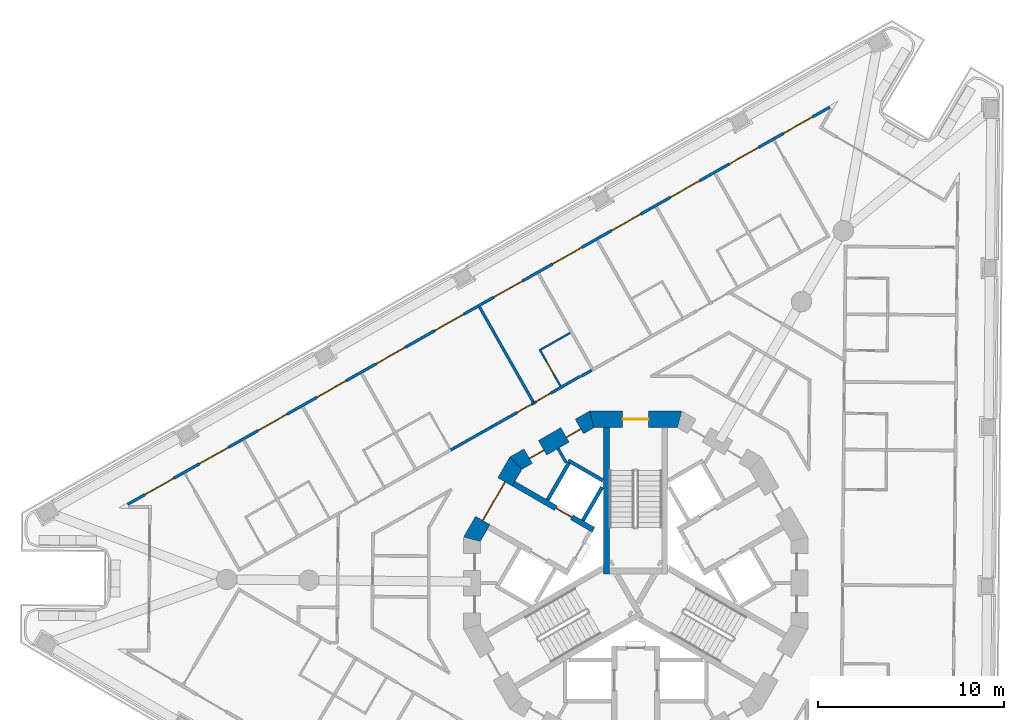
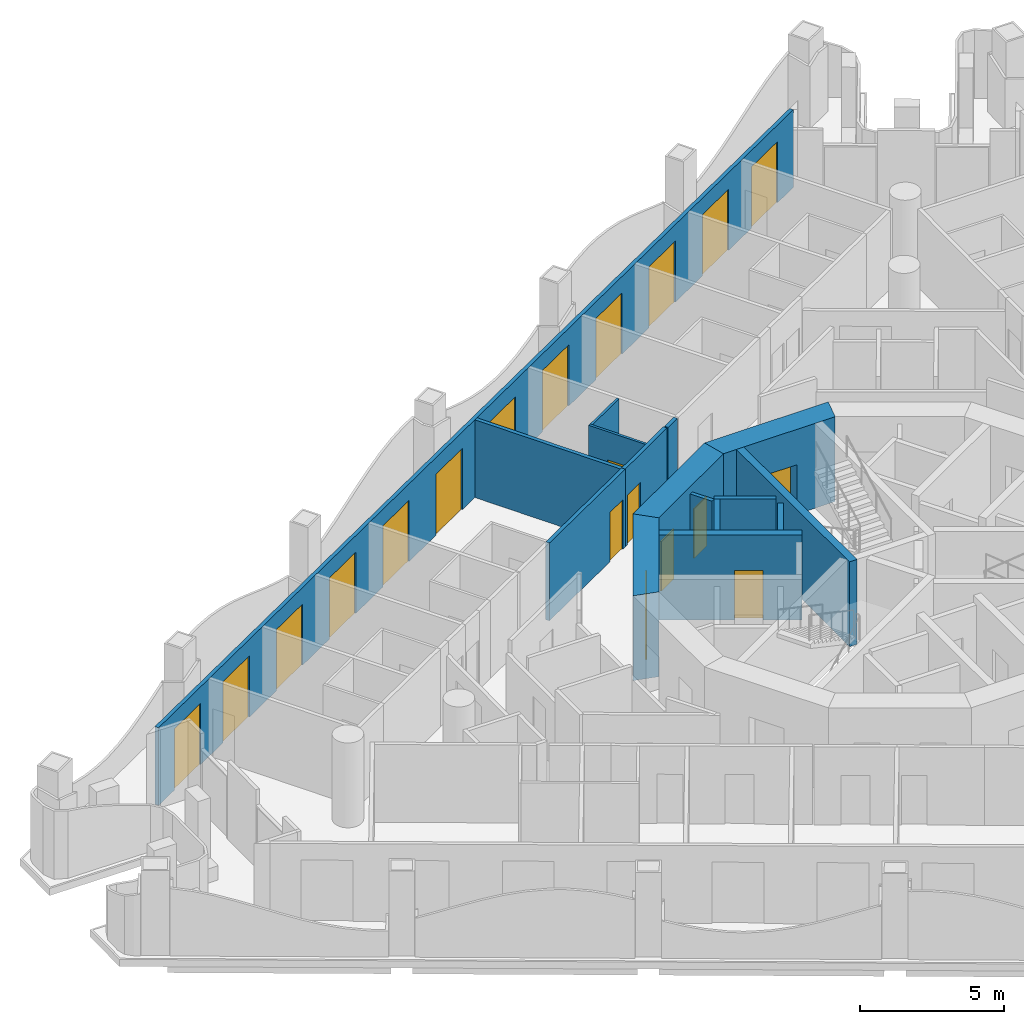
# One storey, part 8 of 18: 20 doors, 16 walls, 20 openings.
"""IFC4 building model written with IfcOpenShell, lengths in metres."""

import ifcopenshell
import ifcopenshell.guid

model = None  # the IFC model being written
_history = None  # IfcOwnerHistory: only IFC2X3 demands one
_inside = {}  # id of a spatial element -> (the spatial element, [elements in it])
_under = {}  # id of a project, library or spatial element -> (it, [spatial elements below it])
_declared = {}  # id of a project -> (the project, [libraries it declares])
_typed = {}  # id of a type object -> (the type object, [elements of that type])
_made_of = {}  # id of a material, layer set ... -> (it, [elements and type objects made of it])


def new_model(schema):
    """Start an empty IFC model of exactly this schema.

    Asked for "IFC4X3", IfcOpenShell would pick the latest addendum, in which some entities
    have other attributes; the version numbers below select the first issue.
    IFC2X3 requires an IfcOwnerHistory on every rooted entity: one is made here for all.
    """
    global model, _history
    if schema == "IFC4X3":
        model = ifcopenshell.file(schema_version=(4, 3, 0, 0))
    else:
        model = ifcopenshell.file(schema=schema)
    _inside.clear()
    _under.clear()
    _declared.clear()
    _typed.clear()
    _made_of.clear()
    _history = None
    if model.schema == "IFC2X3":
        org = make("IfcOrganization", Name="unknown")
        user = make(
            "IfcPersonAndOrganization",
            ThePerson=make("IfcPerson", FamilyName="unknown"),
            TheOrganization=org,
        )
        app = make(
            "IfcApplication",
            ApplicationDeveloper=org,
            Version="unknown",
            ApplicationFullName="unknown",
            ApplicationIdentifier="unknown",
        )
        _history = make(
            "IfcOwnerHistory",
            OwningUser=user,
            OwningApplication=app,
            ChangeAction="ADDED",
            CreationDate=0,
        )
    return model


def make(cls, **values):
    """One entity of the class cls with the attributes given. An attribute that is None is left unset."""
    return model.create_entity(
        cls, **{name: value for name, value in values.items() if value is not None}
    )


def rooted(cls, **values):
    """An entity with a GlobalId (a new one), such as an element, a storey or a relation."""
    return make(cls, GlobalId=ifcopenshell.guid.new(), OwnerHistory=_history, **values)


def si_unit(unit_type, name, prefix=None):
    """IfcSIUnit, for example si_unit("LENGTHUNIT", "METRE", prefix="MILLI")."""
    return make("IfcSIUnit", UnitType=unit_type, Prefix=prefix, Name=name)


def assignment(units):
    """IfcUnitAssignment: the units of a project."""
    return None if units is None else make("IfcUnitAssignment", Units=units)


def point(xyz):
    """IfcCartesianPoint."""
    return None if xyz is None else make("IfcCartesianPoint", Coordinates=xyz)


def direction(xyz):
    """IfcDirection."""
    return None if xyz is None else make("IfcDirection", DirectionRatios=xyz)


def frame(location, z_axis=None, x_axis=None):
    """IfcAxis2Placement3D, a coordinate frame: its origin and axes. An axis left out is left unset."""
    return make(
        "IfcAxis2Placement3D",
        Location=point(location),
        Axis=direction(z_axis),
        RefDirection=direction(x_axis),
    )


def frame_2d(location, x_axis=None):
    """IfcAxis2Placement2D, a coordinate frame in the plane: its origin and x axis."""
    return make(
        "IfcAxis2Placement2D", Location=point(location), RefDirection=direction(x_axis)
    )


def origin():
    """The frame at (0, 0, 0) with its axes left unset."""
    return frame((0.0, 0.0, 0.0))


def place(relative_to, where):
    """IfcLocalPlacement: puts the frame where relative to a parent placement (None: the world)."""
    return make(
        "IfcLocalPlacement", PlacementRelTo=relative_to, RelativePlacement=where
    )


def context(
    kind, dimensions, precision=None, world=None, true_north=None, identifier=None
):
    """IfcGeometricRepresentationContext, for example the 3D "Model" context."""
    return make(
        "IfcGeometricRepresentationContext",
        ContextIdentifier=identifier,
        ContextType=kind,
        CoordinateSpaceDimension=dimensions,
        Precision=precision,
        WorldCoordinateSystem=world,
        TrueNorth=true_north,
    )


def subcontext(parent, identifier, kind, view, scale=None):
    """IfcGeometricRepresentationSubContext, for example "Body" below "Model"."""
    return make(
        "IfcGeometricRepresentationSubContext",
        ContextIdentifier=identifier,
        ContextType=kind,
        ParentContext=parent,
        TargetScale=scale,
        TargetView=view,
    )


def project(units=None, contexts=None):
    """IfcProject with its units and contexts."""
    return rooted(
        "IfcProject",
        Name="project",
        RepresentationContexts=contexts,
        UnitsInContext=assignment(units),
    )


def spatial(cls, under=None, at=None, **own):
    """A site, building, storey or space (cls), placed at a placement, below another one or the project."""
    s = rooted(cls, ObjectPlacement=at, **own)
    if under is not None:
        _under.setdefault(under.id(), (under, []))[1].append(s)
    return s


def polyline(points):
    """IfcPolyline through the points."""
    return make("IfcPolyline", Points=[point(p) for p in points])


def profile(cls, at=None, kind="AREA", **sizes):
    """A parametric profile (cls). Its sizes go by their IFC names, for example OverallWidth=200.0."""
    return make(cls, ProfileType=kind, Position=at, **sizes)


def rectangle(**sizes):
    """IfcRectangleProfileDef."""
    return profile("IfcRectangleProfileDef", **sizes)


def outline(outer, holes=None, kind="AREA"):
    """IfcArbitraryClosedProfileDef: a profile drawn as a closed curve; with holes, ...WithVoids."""
    if holes is None:
        return make("IfcArbitraryClosedProfileDef", ProfileType=kind, OuterCurve=outer)
    return make(
        "IfcArbitraryProfileDefWithVoids",
        ProfileType=kind,
        OuterCurve=outer,
        InnerCurves=holes,
    )


def extrude(swept, where, along, depth):
    """IfcExtrudedAreaSolid: the profile swept, set in the frame where, extruded along a direction by depth."""
    return make(
        "IfcExtrudedAreaSolid",
        SweptArea=swept,
        Position=where,
        ExtrudedDirection=direction(along),
        Depth=depth,
    )


def shape(context_of_items, identifier, shape_type, items):
    """IfcShapeRepresentation: the items that make up one representation, for example the "Body"."""
    return make(
        "IfcShapeRepresentation",
        ContextOfItems=context_of_items,
        RepresentationIdentifier=identifier,
        RepresentationType=shape_type,
        Items=items,
    )


def material(Name=None, Category=None):
    """IfcMaterial."""
    return make("IfcMaterial", Name=Name, Category=Category)


def layer(
    of_material, thickness, ventilated=None, Name=None, Category=None, Priority=None
):
    """IfcMaterialLayer: one layer of a wall or slab, of a material (None: an air gap)."""
    return make(
        "IfcMaterialLayer",
        Material=of_material,
        LayerThickness=thickness,
        IsVentilated=ventilated,
        Name=Name,
        Category=Category,
        Priority=Priority,
    )


def layer_set(layers, Name=None):
    """IfcMaterialLayerSet."""
    return make("IfcMaterialLayerSet", MaterialLayers=layers, LayerSetName=Name)


def made_of(thing, what):
    """Note that an element or type object is made of a material, layer set ...; save() writes the relation."""
    if what is not None:
        _made_of.setdefault(what.id(), (what, []))[1].append(thing)
    return thing


def type_object(cls, material=None, **own):
    """A type object (cls), such as IfcWallType, which elements share."""
    return made_of(rooted(cls, **own), material)


def element(
    cls,
    number,
    at=None,
    inside=None,
    cuts=None,
    type_object=None,
    material=None,
    context=None,
    identifier="Body",
    shape_type=None,
    held_by="IfcProductDefinitionShape",
    body=None,
    shapes=None,
    **own,
):
    """One element of the class cls, such as IfcWall. Its Tag is "e" and its number.

    at: its placement. inside: the storey or other place that contains it. cuts: it is an
    opening in that element (IfcRelVoidsElement). A single representation is given by context,
    identifier, shape_type and body (its items); several are given by shapes. held_by: the class
    of the entity that holds the representations. save() writes the other relations.
    """
    e = rooted(cls, Tag="e%d" % number, ObjectPlacement=at, **own)
    if body is not None:
        shapes = [shape(context, identifier, shape_type, body)]
    if shapes is not None:
        e.Representation = make(held_by, Representations=shapes)
    if inside is not None:
        _inside.setdefault(inside.id(), (inside, []))[1].append(e)
    if cuts is not None:
        rooted(
            "IfcRelVoidsElement", RelatingBuildingElement=cuts, RelatedOpeningElement=e
        )
    if type_object is not None:
        _typed.setdefault(type_object.id(), (type_object, []))[1].append(e)
    return made_of(e, material)


def fill(opening, filler):
    """IfcRelFillsElement: the door or window that sits in an opening."""
    return rooted(
        "IfcRelFillsElement",
        RelatingOpeningElement=opening,
        RelatedBuildingElement=filler,
    )


def aggregate(whole, parts):
    """IfcRelAggregates: a whole, such as a stair, and the parts it consists of."""
    return rooted("IfcRelAggregates", RelatingObject=whole, RelatedObjects=parts)


def save(model, path):
    """Write the relations noted so far, then the file.

    IfcRelAggregates (storeys below a building ...), IfcRelContainedInSpatialStructure (elements
    in a storey), IfcRelDefinesByType, IfcRelAssociatesMaterial and IfcRelDeclares: one each for
    every whole, place, type object, material and project.
    """
    for whole, parts in _under.values():
        aggregate(whole, parts)
    for where, things in _inside.values():
        rooted(
            "IfcRelContainedInSpatialStructure",
            RelatedElements=things,
            RelatingStructure=where,
        )
    for kind, things in _typed.values():
        rooted("IfcRelDefinesByType", RelatedObjects=things, RelatingType=kind)
    for what, things in _made_of.values():
        rooted("IfcRelAssociatesMaterial", RelatedObjects=things, RelatingMaterial=what)
    for by, libraries in _declared.values():
        rooted("IfcRelDeclares", RelatingContext=by, RelatedDefinitions=libraries)
    model.write(path)


model = new_model("IFC4")

# Units and contexts
model_context = context("Model", 3, precision=1e-05, world=origin(), true_north=direction((0.0, 1.0)))
body_context = subcontext(model_context, "Body", "Model", "MODEL_VIEW")
ifc_project = project(units=[si_unit("LENGTHUNIT", "METRE"), si_unit("AREAUNIT", "SQUARE_METRE"), si_unit("VOLUMEUNIT", "CUBIC_METRE"), si_unit("PLANEANGLEUNIT", "RADIAN"), si_unit("MASSUNIT", "GRAM", prefix="KILO")], contexts=[model_context])

# Site, building, storey
site_placement = place(None, origin())
site = spatial("IfcSite", under=ifc_project, at=site_placement, CompositionType="ELEMENT")
building_placement = place(site_placement, origin())
building = spatial("IfcBuilding", under=site, at=building_placement, Name="Trine Commons Tower", CompositionType="ELEMENT")
storey_placement = place(building_placement, frame((0.0, 0.0, 175.5)))
storey = spatial("IfcBuildingStorey", under=building, at=storey_placement, Name="L45", CompositionType="ELEMENT", Elevation=175.5)

# Wall
ifc_material_1 = material(Name="Plasterboard partition on steel studs", Category="steel")
ifc_layer_1 = layer(ifc_material_1, 0.14990234375)
ifc_layer_set_1 = layer_set([ifc_layer_1], Name="Plasterboard partition on steel studs")
wall_type_1 = type_object("IfcWallType", Name="Core room partition 150 mm, EI 60", PredefinedType="PARTITIONING", material=ifc_layer_set_1)
wall_1_placement = place(storey_placement, frame((75.81396484375, 69.7509765625, 0.0), z_axis=(0.0, 0.0, 1.0), x_axis=(0.499890179513, -0.866088799389, 0.0)))
element("IfcWall", 1, at=wall_1_placement, inside=storey, type_object=wall_type_1, Name="Core room partition L45", PredefinedType="PARTITIONING", context=body_context, shape_type="SweptSolid", body=[
    extrude(rectangle(XDim=0.882080078125, YDim=0.14990234375, at=frame_2d((0.44091796875, 0.0))), origin(), (0.0, 0.0, 1.0), 3.300048828125),
])

# Wall, openings, doors
ifc_material_2 = material(Name="Aluminium-framed insulated wall panel", Category="aluminium")
ifc_layer_2 = layer(ifc_material_2, 0.14990234375)
ifc_layer_set_2 = layer_set([ifc_layer_2], Name="Aluminium-framed insulated wall panel")
wall_type_2 = type_object("IfcWallType", Name="Glazed frame wall 150, EI 60", PredefinedType="SOLIDWALL", material=ifc_layer_set_2)
wall_2_placement = place(storey_placement, frame((52.497802734375, 66.67041015625, 0.0), z_axis=(0.0, 0.0, 1.0), x_axis=(0.870354973249, 0.492424837453, 0.0)))
wall_2 = element("IfcWall", 2, at=wall_2_placement, inside=storey, type_object=wall_type_2, Name="Glazed frame wall F1", PredefinedType="SOLIDWALL", context=body_context, shape_type="SweptSolid", body=[
    extrude(outline(polyline([(0.1494140625, 0.074951171875), (0.1494140625, -0.074951171875), (43.616943359375, -0.074951171875), (43.616943359375, 0.074951171875), (0.1494140625, 0.074951171875)])), origin(), (0.0, 0.0, 1.0), 3.300048828125),
])
opening_1_placement = place(wall_2_placement, frame((1.2236328125, 0.0, 0.0)))
opening_1 = element("IfcOpeningElement", 3, at=opening_1_placement, cuts=wall_2, Name="Opening BD-5F1-01", PredefinedType="OPENING", context=body_context, shape_type="SweptSolid", body=[
    extrude(rectangle(XDim=1.800048828125, YDim=2.60009765625, at=frame_2d((0.89990234375, 1.300048828125))), frame((0.0, 0.0849609375, 0.0), z_axis=(0.0, -1.0, 0.0), x_axis=(1.0, 0.0, 0.0)), (0.0, 0.0, 1.0), 0.169921875),
])
opening_2_placement = place(wall_2_placement, frame((4.57080078125, 0.0, 0.0)))
opening_2 = element("IfcOpeningElement", 4, at=opening_2_placement, cuts=wall_2, Name="Opening BD-5F1-02", PredefinedType="OPENING", context=body_context, shape_type="SweptSolid", body=[
    extrude(rectangle(XDim=1.800048828125, YDim=2.60009765625, at=frame_2d((0.89990234375, 1.300048828125))), frame((0.0, 0.0849609375, 0.0), z_axis=(0.0, -1.0, 0.0), x_axis=(1.0, 0.0, 0.0)), (0.0, 0.0, 1.0), 0.169921875),
])
opening_3_placement = place(wall_2_placement, frame((8.218017578125, 0.0, 0.0)))
opening_3 = element("IfcOpeningElement", 5, at=opening_3_placement, cuts=wall_2, Name="Opening BD-5F1-03", PredefinedType="OPENING", context=body_context, shape_type="SweptSolid", body=[
    extrude(rectangle(XDim=1.800048828125, YDim=2.60009765625, at=frame_2d((0.89990234375, 1.300048828125))), frame((0.0, 0.0849609375, 0.0), z_axis=(0.0, -1.0, 0.0), x_axis=(1.0, 0.0, 0.0)), (0.0, 0.0, 1.0), 0.169921875),
])
opening_4_placement = place(wall_2_placement, frame((11.865234375, 0.0, 0.0)))
opening_4 = element("IfcOpeningElement", 6, at=opening_4_placement, cuts=wall_2, Name="Opening BD-5F1-04", PredefinedType="OPENING", context=body_context, shape_type="SweptSolid", body=[
    extrude(rectangle(XDim=1.800048828125, YDim=2.60009765625, at=frame_2d((0.89990234375, 1.300048828125))), frame((0.0, 0.0849609375, 0.0), z_axis=(0.0, -1.0, 0.0), x_axis=(1.0, 0.0, 0.0)), (0.0, 0.0, 1.0), 0.169921875),
])
opening_5_placement = place(wall_2_placement, frame((15.512451171875, 0.0, 0.0)))
opening_5 = element("IfcOpeningElement", 7, at=opening_5_placement, cuts=wall_2, Name="Opening BD-5F1-05", PredefinedType="OPENING", context=body_context, shape_type="SweptSolid", body=[
    extrude(rectangle(XDim=1.800048828125, YDim=2.60009765625, at=frame_2d((0.89990234375, 1.300048828125))), frame((0.0, 0.0849609375, 0.0), z_axis=(0.0, -1.0, 0.0), x_axis=(1.0, 0.0, 0.0)), (0.0, 0.0, 1.0), 0.169921875),
])
opening_6_placement = place(wall_2_placement, frame((19.15966796875, 0.0, 0.0)))
opening_6 = element("IfcOpeningElement", 8, at=opening_6_placement, cuts=wall_2, Name="Opening BD-5F1-06", PredefinedType="OPENING", context=body_context, shape_type="SweptSolid", body=[
    extrude(rectangle(XDim=1.800048828125, YDim=2.60009765625, at=frame_2d((0.89990234375, 1.300048828125))), frame((0.0, 0.0849609375, 0.0), z_axis=(0.0, -1.0, 0.0), x_axis=(1.0, 0.0, 0.0)), (0.0, 0.0, 1.0), 0.169921875),
])
opening_7_placement = place(wall_2_placement, frame((22.806884765625, 0.0, 0.0)))
opening_7 = element("IfcOpeningElement", 9, at=opening_7_placement, cuts=wall_2, Name="Opening BD-5F1-07", PredefinedType="OPENING", context=body_context, shape_type="SweptSolid", body=[
    extrude(rectangle(XDim=1.800048828125, YDim=2.60009765625, at=frame_2d((0.89990234375, 1.300048828125))), frame((0.0, 0.0849609375, 0.0), z_axis=(0.0, -1.0, 0.0), x_axis=(1.0, 0.0, 0.0)), (0.0, 0.0, 1.0), 0.169921875),
])
opening_8_placement = place(wall_2_placement, frame((26.4541015625, 0.0, 0.0)))
opening_8 = element("IfcOpeningElement", 10, at=opening_8_placement, cuts=wall_2, Name="Opening BD-5F1-08", PredefinedType="OPENING", context=body_context, shape_type="SweptSolid", body=[
    extrude(rectangle(XDim=1.800048828125, YDim=2.60009765625, at=frame_2d((0.89990234375, 1.300048828125))), frame((0.0, 0.0849609375, 0.0), z_axis=(0.0, -1.0, 0.0), x_axis=(1.0, 0.0, 0.0)), (0.0, 0.0, 1.0), 0.169921875),
])
opening_9_placement = place(wall_2_placement, frame((30.101318359375, 0.0, 0.0)))
opening_9 = element("IfcOpeningElement", 11, at=opening_9_placement, cuts=wall_2, Name="Opening BD-5F1-09", PredefinedType="OPENING", context=body_context, shape_type="SweptSolid", body=[
    extrude(rectangle(XDim=1.800048828125, YDim=2.60009765625, at=frame_2d((0.89990234375, 1.300048828125))), frame((0.0, 0.0849609375, 0.0), z_axis=(0.0, -1.0, 0.0), x_axis=(1.0, 0.0, 0.0)), (0.0, 0.0, 1.0), 0.169921875),
])
opening_10_placement = place(wall_2_placement, frame((33.748291015625, 0.0, 0.0)))
opening_10 = element("IfcOpeningElement", 12, at=opening_10_placement, cuts=wall_2, Name="Opening BD-5F1-10", PredefinedType="OPENING", context=body_context, shape_type="SweptSolid", body=[
    extrude(rectangle(XDim=1.800048828125, YDim=2.60009765625, at=frame_2d((0.89990234375, 1.300048828125))), frame((0.0, 0.0849609375, 0.0), z_axis=(0.0, -1.0, 0.0), x_axis=(1.0, 0.0, 0.0)), (0.0, 0.0, 1.0), 0.169921875),
])
opening_11_placement = place(wall_2_placement, frame((37.3955078125, 0.0, 0.0)))
opening_11 = element("IfcOpeningElement", 13, at=opening_11_placement, cuts=wall_2, Name="Opening BD-5F1-11", PredefinedType="OPENING", context=body_context, shape_type="SweptSolid", body=[
    extrude(rectangle(XDim=1.800048828125, YDim=2.60009765625, at=frame_2d((0.89990234375, 1.300048828125))), frame((0.0, 0.0849609375, 0.0), z_axis=(0.0, -1.0, 0.0), x_axis=(1.0, 0.0, 0.0)), (0.0, 0.0, 1.0), 0.169921875),
])
opening_12_placement = place(wall_2_placement, frame((40.742919921875, 0.0, 0.0)))
opening_12 = element("IfcOpeningElement", 14, at=opening_12_placement, cuts=wall_2, Name="Opening BD-5F1-12", PredefinedType="OPENING", context=body_context, shape_type="SweptSolid", body=[
    extrude(rectangle(XDim=1.800048828125, YDim=2.60009765625, at=frame_2d((0.89990234375, 1.300048828125))), frame((0.0, 0.0849609375, 0.0), z_axis=(0.0, -1.0, 0.0), x_axis=(1.0, 0.0, 0.0)), (0.0, 0.0, 1.0), 0.169921875),
])
ifc_material_3 = material(Name="Anodised aluminium frame with double glazing", Category="aluminium")
door_type_1 = type_object("IfcDoorType", Name="Sliding loggia door 1800x2600", OperationType="SLIDING_TO_LEFT", PredefinedType="DOOR", material=ifc_material_3)
door_1_placement = place(opening_1_placement, origin())
door_1 = element("IfcDoor", 15, at=door_1_placement, inside=storey, type_object=door_type_1, Name="Loggia door F1 1", OperationType="SLIDING_TO_LEFT", OverallHeight=2.60009765625, OverallWidth=1.800048828125, PredefinedType="DOOR", context=body_context, shape_type="SweptSolid", body=[
    extrude(rectangle(XDim=1.800048828125, YDim=2.60009765625, at=frame_2d((0.89990234375, 1.300048828125))), frame((0.0, 0.02490234375, 0.0), z_axis=(0.0, -1.0, 0.0), x_axis=(1.0, 0.0, 0.0)), (0.0, 0.0, 1.0), 0.050048828125),
])
fill(opening_1, door_1)
door_2_placement = place(opening_2_placement, origin())
door_2 = element("IfcDoor", 16, at=door_2_placement, inside=storey, type_object=door_type_1, Name="Loggia door F1 2", OperationType="SLIDING_TO_LEFT", OverallHeight=2.60009765625, OverallWidth=1.800048828125, PredefinedType="DOOR", context=body_context, shape_type="SweptSolid", body=[
    extrude(rectangle(XDim=1.800048828125, YDim=2.60009765625, at=frame_2d((0.89990234375, 1.300048828125))), frame((0.0, 0.02490234375, 0.0), z_axis=(0.0, -1.0, 0.0), x_axis=(1.0, 0.0, 0.0)), (0.0, 0.0, 1.0), 0.050048828125),
])
fill(opening_2, door_2)
door_3_placement = place(opening_3_placement, origin())
door_3 = element("IfcDoor", 17, at=door_3_placement, inside=storey, type_object=door_type_1, Name="Loggia door F1 3", OperationType="SLIDING_TO_LEFT", OverallHeight=2.60009765625, OverallWidth=1.800048828125, PredefinedType="DOOR", context=body_context, shape_type="SweptSolid", body=[
    extrude(rectangle(XDim=1.800048828125, YDim=2.60009765625, at=frame_2d((0.89990234375, 1.300048828125))), frame((0.0, 0.02490234375, 0.0), z_axis=(0.0, -1.0, 0.0), x_axis=(1.0, 0.0, 0.0)), (0.0, 0.0, 1.0), 0.050048828125),
])
fill(opening_3, door_3)
door_4_placement = place(opening_4_placement, origin())
door_4 = element("IfcDoor", 18, at=door_4_placement, inside=storey, type_object=door_type_1, Name="Loggia door F1 4", OperationType="SLIDING_TO_LEFT", OverallHeight=2.60009765625, OverallWidth=1.800048828125, PredefinedType="DOOR", context=body_context, shape_type="SweptSolid", body=[
    extrude(rectangle(XDim=1.800048828125, YDim=2.60009765625, at=frame_2d((0.89990234375, 1.300048828125))), frame((0.0, 0.02490234375, 0.0), z_axis=(0.0, -1.0, 0.0), x_axis=(1.0, 0.0, 0.0)), (0.0, 0.0, 1.0), 0.050048828125),
])
fill(opening_4, door_4)
door_5_placement = place(opening_5_placement, origin())
door_5 = element("IfcDoor", 19, at=door_5_placement, inside=storey, type_object=door_type_1, Name="Loggia door F1 5", OperationType="SLIDING_TO_LEFT", OverallHeight=2.60009765625, OverallWidth=1.800048828125, PredefinedType="DOOR", context=body_context, shape_type="SweptSolid", body=[
    extrude(rectangle(XDim=1.800048828125, YDim=2.60009765625, at=frame_2d((0.89990234375, 1.300048828125))), frame((0.0, 0.02490234375, 0.0), z_axis=(0.0, -1.0, 0.0), x_axis=(1.0, 0.0, 0.0)), (0.0, 0.0, 1.0), 0.050048828125),
])
fill(opening_5, door_5)
door_6_placement = place(opening_6_placement, origin())
door_6 = element("IfcDoor", 20, at=door_6_placement, inside=storey, type_object=door_type_1, Name="Loggia door F1 6", OperationType="SLIDING_TO_LEFT", OverallHeight=2.60009765625, OverallWidth=1.800048828125, PredefinedType="DOOR", context=body_context, shape_type="SweptSolid", body=[
    extrude(rectangle(XDim=1.800048828125, YDim=2.60009765625, at=frame_2d((0.89990234375, 1.300048828125))), frame((0.0, 0.02490234375, 0.0), z_axis=(0.0, -1.0, 0.0), x_axis=(1.0, 0.0, 0.0)), (0.0, 0.0, 1.0), 0.050048828125),
])
fill(opening_6, door_6)
door_7_placement = place(opening_7_placement, origin())
door_7 = element("IfcDoor", 21, at=door_7_placement, inside=storey, type_object=door_type_1, Name="Loggia door F1 7", OperationType="SLIDING_TO_LEFT", OverallHeight=2.60009765625, OverallWidth=1.800048828125, PredefinedType="DOOR", context=body_context, shape_type="SweptSolid", body=[
    extrude(rectangle(XDim=1.800048828125, YDim=2.60009765625, at=frame_2d((0.89990234375, 1.300048828125))), frame((0.0, 0.02490234375, 0.0), z_axis=(0.0, -1.0, 0.0), x_axis=(1.0, 0.0, 0.0)), (0.0, 0.0, 1.0), 0.050048828125),
])
fill(opening_7, door_7)
door_8_placement = place(opening_8_placement, origin())
door_8 = element("IfcDoor", 22, at=door_8_placement, inside=storey, type_object=door_type_1, Name="Loggia door F1 8", OperationType="SLIDING_TO_LEFT", OverallHeight=2.60009765625, OverallWidth=1.800048828125, PredefinedType="DOOR", context=body_context, shape_type="SweptSolid", body=[
    extrude(rectangle(XDim=1.800048828125, YDim=2.60009765625, at=frame_2d((0.89990234375, 1.300048828125))), frame((0.0, 0.02490234375, 0.0), z_axis=(0.0, -1.0, 0.0), x_axis=(1.0, 0.0, 0.0)), (0.0, 0.0, 1.0), 0.050048828125),
])
fill(opening_8, door_8)
door_9_placement = place(opening_9_placement, origin())
door_9 = element("IfcDoor", 23, at=door_9_placement, inside=storey, type_object=door_type_1, Name="Loggia door F1 9", OperationType="SLIDING_TO_LEFT", OverallHeight=2.60009765625, OverallWidth=1.800048828125, PredefinedType="DOOR", context=body_context, shape_type="SweptSolid", body=[
    extrude(rectangle(XDim=1.800048828125, YDim=2.60009765625, at=frame_2d((0.89990234375, 1.300048828125))), frame((0.0, 0.02490234375, 0.0), z_axis=(0.0, -1.0, 0.0), x_axis=(1.0, 0.0, 0.0)), (0.0, 0.0, 1.0), 0.050048828125),
])
fill(opening_9, door_9)
door_10_placement = place(opening_10_placement, origin())
door_10 = element("IfcDoor", 24, at=door_10_placement, inside=storey, type_object=door_type_1, Name="Loggia door F1 10", OperationType="SLIDING_TO_LEFT", OverallHeight=2.60009765625, OverallWidth=1.800048828125, PredefinedType="DOOR", context=body_context, shape_type="SweptSolid", body=[
    extrude(rectangle(XDim=1.800048828125, YDim=2.60009765625, at=frame_2d((0.89990234375, 1.300048828125))), frame((0.0, 0.02490234375, 0.0), z_axis=(0.0, -1.0, 0.0), x_axis=(1.0, 0.0, 0.0)), (0.0, 0.0, 1.0), 0.050048828125),
])
fill(opening_10, door_10)
door_11_placement = place(opening_11_placement, origin())
door_11 = element("IfcDoor", 25, at=door_11_placement, inside=storey, type_object=door_type_1, Name="Loggia door F1 11", OperationType="SLIDING_TO_LEFT", OverallHeight=2.60009765625, OverallWidth=1.800048828125, PredefinedType="DOOR", context=body_context, shape_type="SweptSolid", body=[
    extrude(rectangle(XDim=1.800048828125, YDim=2.60009765625, at=frame_2d((0.89990234375, 1.300048828125))), frame((0.0, 0.02490234375, 0.0), z_axis=(0.0, -1.0, 0.0), x_axis=(1.0, 0.0, 0.0)), (0.0, 0.0, 1.0), 0.050048828125),
])
fill(opening_11, door_11)
door_12_placement = place(opening_12_placement, origin())
door_12 = element("IfcDoor", 26, at=door_12_placement, inside=storey, type_object=door_type_1, Name="Loggia door F1 12", OperationType="SLIDING_TO_LEFT", OverallHeight=2.60009765625, OverallWidth=1.800048828125, PredefinedType="DOOR", context=body_context, shape_type="SweptSolid", body=[
    extrude(rectangle(XDim=1.800048828125, YDim=2.60009765625, at=frame_2d((0.89990234375, 1.300048828125))), frame((0.0, 0.02490234375, 0.0), z_axis=(0.0, -1.0, 0.0), x_axis=(1.0, 0.0, 0.0)), (0.0, 0.0, 1.0), 0.050048828125),
])
fill(opening_12, door_12)

# Wall, opening, door
ifc_material_4 = material(Name="Concrete C60/75", Category="concrete")
ifc_layer_3 = layer(ifc_material_4, 0.300048828125)
ifc_layer_set_3 = layer_set([ifc_layer_3], Name="Concrete C60/75")
wall_type_3 = type_object("IfcWallType", Name="RC shear wall 300 mm, C60/75", PredefinedType="SHEAR", material=ifc_layer_set_3)
wall_3_placement = place(storey_placement, frame((77.73095703125, 65.368896484375, 0.0), z_axis=(0.0, 0.0, 1.0), x_axis=(-0.865983655544, 0.500072303102, 0.0)))
wall_3 = element("IfcWall", 27, at=wall_3_placement, inside=storey, type_object=wall_type_3, Name="Core cross wall SWB-02 L45", PredefinedType="SHEAR", context=body_context, shape_type="SweptSolid", body=[
    extrude(rectangle(XDim=4.973388671875, YDim=0.300048828125, at=frame_2d((2.48681640625, 0.0))), origin(), (0.0, 0.0, 1.0), 3.60009765625),
])
opening_13_placement = place(wall_3_placement, frame((1.3505859375, 0.0, 0.0)))
opening_13 = element("IfcOpeningElement", 28, at=opening_13_placement, cuts=wall_3, Name="Opening LD8", PredefinedType="OPENING", context=body_context, shape_type="SweptSolid", body=[
    extrude(rectangle(XDim=1.0, YDim=2.10009765625, at=frame_2d((0.5, 1.050048828125))), frame((0.0, 0.159912109375, 0.0), z_axis=(0.0, -1.0, 0.0), x_axis=(1.0, 0.0, 0.0)), (0.0, 0.0, 1.0), 0.320068359375),
])
ifc_material_5 = material(Name="Stainless steel sliding door leaves", Category="steel")
door_type_2 = type_object("IfcDoorType", Name="Lift landing door, centre-opening sliding 1000 x 2100, FD90", OperationType="DOUBLE_DOOR_SLIDING", PredefinedType="DOOR", material=ifc_material_5)
door_13_placement = place(opening_13_placement, origin())
door_13 = element("IfcDoor", 29, at=door_13_placement, inside=storey, type_object=door_type_2, Name="Lift landing door HR4 L45", OperationType="DOUBLE_DOOR_SLIDING", OverallHeight=2.10009765625, OverallWidth=1.0, PredefinedType="DOOR", context=body_context, shape_type="SweptSolid", body=[
    extrude(rectangle(XDim=1.0, YDim=2.10009765625, at=frame_2d((0.5, 1.050048828125))), frame((0.0, 0.02490234375, 0.0), z_axis=(0.0, -1.0, 0.0), x_axis=(1.0, 0.0, 0.0)), (0.0, 0.0, 1.0), 0.050048828125),
])
fill(opening_13, door_13)

# Wall
wall_4_placement = place(storey_placement, frame((78.425048828125, 63.0009765625, 0.0), z_axis=(0.0, 0.0, 1.0), x_axis=(0.0, 1.0, 0.0)))
element("IfcWall", 30, at=wall_4_placement, inside=storey, type_object=wall_type_3, Name="Core cross wall SWB-08 L45", PredefinedType="SHEAR", context=body_context, shape_type="SweptSolid", body=[
    extrude(rectangle(XDim=7.8720703125, YDim=0.300048828125, at=frame_2d((3.93603515625, 0.0))), origin(), (0.0, 0.0, 1.0), 3.60009765625),
])

# Wall, opening, door
ifc_layer_4 = layer(ifc_material_4, 0.89990234375)
ifc_layer_set_4 = layer_set([ifc_layer_4], Name="Concrete C60/75")
wall_type_4 = type_object("IfcWallType", Name="RC shear wall 900 mm, C60/75", PredefinedType="SHEAR", material=ifc_layer_set_4)
wall_5_placement = place(storey_placement, frame((82.484619140625, 71.322998046875, 0.0), z_axis=(0.0, 0.0, 1.0), x_axis=(-1.0, 0.0, 0.0)))
wall_5 = element("IfcWall", 31, at=wall_5_placement, inside=storey, type_object=wall_type_4, Name="Core wall CWE-04 L45", PredefinedType="SHEAR", context=body_context, shape_type="SweptSolid", body=[
    extrude(outline(polyline([(0.0, -0.449951171875), (4.969482421875, -0.449951171875), (4.728271484375, 0.449951171875), (0.2412109375, 0.449951171875), (0.0, -0.449951171875)])), origin(), (0.0, 0.0, 1.0), 3.60009765625),
])
opening_14_placement = place(wall_5_placement, frame((1.78466796875, 0.0, 0.0)))
opening_14 = element("IfcOpeningElement", 32, at=opening_14_placement, cuts=wall_5, Name="Opening K12.01", PredefinedType="OPENING", context=body_context, shape_type="SweptSolid", body=[
    extrude(rectangle(XDim=1.39990234375, YDim=2.10009765625, at=frame_2d((0.699951171875, 1.050048828125))), frame((0.0, 0.4599609375, 0.0), z_axis=(0.0, -1.0, 0.0), x_axis=(1.0, 0.0, 0.0)), (0.0, 0.0, 1.0), 0.919921875),
])
ifc_material_6 = material(Name="Steel door leaves, fire-rated", Category="steel")
door_type_3 = type_object("IfcDoorType", Name="Stair door, double leaf 1400 x 2100, FD90", OperationType="DOUBLE_DOOR_SINGLE_SWING", PredefinedType="DOOR", material=ifc_material_6)
door_14_placement = place(opening_14_placement, origin())
door_14 = element("IfcDoor", 33, at=door_14_placement, inside=storey, type_object=door_type_3, Name="Stair door to Exit stair ST1B L45", OperationType="DOUBLE_DOOR_SINGLE_SWING", OverallHeight=2.10009765625, OverallWidth=1.39990234375, PredefinedType="DOOR", context=body_context, shape_type="SweptSolid", body=[
    extrude(rectangle(XDim=1.39990234375, YDim=2.10009765625, at=frame_2d((0.699951171875, 1.050048828125))), frame((0.0, 0.02490234375, 0.0), z_axis=(0.0, -1.0, 0.0), x_axis=(1.0, 0.0, 0.0)), (0.0, 0.0, 1.0), 0.050048828125),
])
fill(opening_14, door_14)

# Wall, openings, doors
wall_6_placement = place(storey_placement, frame((77.740234375, 71.38330078125, 0.0), z_axis=(0.0, 0.0, 1.0), x_axis=(-0.866003133579, -0.500038571144, 0.0)))
wall_6 = element("IfcWall", 34, at=wall_6_placement, inside=storey, type_object=wall_type_4, Name="Core wall CWE-05 L45", PredefinedType="SHEAR", context=body_context, shape_type="SweptSolid", body=[
    extrude(outline(polyline([(0.0, -0.449951171875), (4.96923828125, -0.449951171875), (4.72802734375, 0.449951171875), (0.2412109375, 0.449951171875), (0.0, -0.449951171875)])), origin(), (0.0, 0.0, 1.0), 3.60009765625),
])
opening_15_placement = place(wall_6_placement, frame((0.89501953125, 0.0, 0.0)))
opening_15 = element("IfcOpeningElement", 35, at=opening_15_placement, cuts=wall_6, Name="Opening K12.14", PredefinedType="OPENING", context=body_context, shape_type="SweptSolid", body=[
    extrude(rectangle(XDim=0.89990234375, YDim=2.10009765625, at=frame_2d((0.449951171875, 1.050048828125))), frame((0.0, 0.4599609375, 0.0), z_axis=(0.0, -1.0, 0.0), x_axis=(1.0, 0.0, 0.0)), (0.0, 0.0, 1.0), 0.919921875),
])
opening_16_placement = place(wall_6_placement, frame((3.18408203125, 0.0, 0.0)))
opening_16 = element("IfcOpeningElement", 36, at=opening_16_placement, cuts=wall_6, Name="Opening K12.15", PredefinedType="OPENING", context=body_context, shape_type="SweptSolid", body=[
    extrude(rectangle(XDim=0.89990234375, YDim=2.10009765625, at=frame_2d((0.449951171875, 1.050048828125))), frame((0.0, 0.4599609375, 0.0), z_axis=(0.0, -1.0, 0.0), x_axis=(1.0, 0.0, 0.0)), (0.0, 0.0, 1.0), 0.919921875),
])
ifc_material_7 = material(Name="Steel door leaf, fire-rated", Category="steel")
door_type_4 = type_object("IfcDoorType", Name="Core room door, single leaf 900 x 2100, FD30S", OperationType="SINGLE_SWING_LEFT", PredefinedType="DOOR", material=ifc_material_7)
door_15_placement = place(opening_15_placement, origin())
door_15 = element("IfcDoor", 37, at=door_15_placement, inside=storey, type_object=door_type_4, Name="Door to Cleaner's store L45", OperationType="SINGLE_SWING_LEFT", OverallHeight=2.10009765625, OverallWidth=0.89990234375, PredefinedType="DOOR", context=body_context, shape_type="SweptSolid", body=[
    extrude(rectangle(XDim=0.89990234375, YDim=2.10009765625, at=frame_2d((0.449951171875, 1.050048828125))), frame((0.0, 0.1748046875, 0.0), z_axis=(0.0, -1.0, 0.0), x_axis=(1.0, 0.0, 0.0)), (0.0, 0.0, 1.0), 0.050048828125),
])
fill(opening_15, door_15)
door_16_placement = place(opening_16_placement, origin())
door_16 = element("IfcDoor", 38, at=door_16_placement, inside=storey, type_object=door_type_4, Name="Door to Accessible WC L45", OperationType="SINGLE_SWING_RIGHT", OverallHeight=2.10009765625, OverallWidth=0.89990234375, PredefinedType="DOOR", context=body_context, shape_type="SweptSolid", body=[
    extrude(rectangle(XDim=0.89990234375, YDim=2.10009765625, at=frame_2d((0.449951171875, 1.050048828125))), frame((0.0, 0.1748046875, 0.0), z_axis=(0.0, -1.0, 0.0), x_axis=(1.0, 0.0, 0.0)), (0.0, 0.0, 1.0), 0.050048828125),
])
fill(opening_16, door_16)

# Wall, opening, door
wall_7_placement = place(storey_placement, frame((73.6015625, 69.063232421875, 0.0), z_axis=(0.0, 0.0, 1.0), x_axis=(-0.500038571144, -0.866003133579, 0.0)))
wall_7 = element("IfcWall", 39, at=wall_7_placement, inside=storey, type_object=wall_type_4, Name="Core wall CWE-06 L45", PredefinedType="SHEAR", context=body_context, shape_type="SweptSolid", body=[
    extrude(outline(polyline([(0.0, -0.449951171875), (4.96923828125, -0.449951171875), (4.72802734375, 0.449951171875), (0.2412109375, 0.449951171875), (0.0, -0.449951171875)])), origin(), (0.0, 0.0, 1.0), 3.60009765625),
])
opening_17_placement = place(wall_7_placement, frame((1.28466796875, 0.0, 0.0)))
opening_17 = element("IfcOpeningElement", 40, at=opening_17_placement, cuts=wall_7, Name="Opening K12.06", PredefinedType="OPENING", context=body_context, shape_type="SweptSolid", body=[
    extrude(rectangle(XDim=2.39990234375, YDim=2.10009765625, at=frame_2d((1.199951171875, 1.050048828125))), frame((0.0, 0.4599609375, 0.0), z_axis=(0.0, -1.0, 0.0), x_axis=(1.0, 0.0, 0.0)), (0.0, 0.0, 1.0), 0.919921875),
])
door_type_5 = type_object("IfcDoorType", Name="Lobby door, double leaf 2400 x 2100, FD60", OperationType="DOUBLE_DOOR_SINGLE_SWING", PredefinedType="DOOR", material=ifc_material_6)
door_17_placement = place(opening_17_placement, origin())
door_17 = element("IfcDoor", 41, at=door_17_placement, inside=storey, type_object=door_type_5, Name="Lobby door, Passenger lift lobby B L45", OperationType="DOUBLE_DOOR_SINGLE_SWING", OverallHeight=2.10009765625, OverallWidth=2.39990234375, PredefinedType="DOOR", context=body_context, shape_type="SweptSolid", body=[
    extrude(rectangle(XDim=2.39990234375, YDim=2.10009765625, at=frame_2d((1.199951171875, 1.050048828125))), frame((0.0, 0.02490234375, 0.0), z_axis=(0.0, -1.0, 0.0), x_axis=(1.0, 0.0, 0.0)), (0.0, 0.0, 1.0), 0.050048828125),
])
fill(opening_17, door_17)

# Walls
ifc_material_8 = material(Name="Fire-rated gypsum shaft wall system")
ifc_layer_5 = layer(ifc_material_8, 0.199951171875)
ifc_layer_set_5 = layer_set([ifc_layer_5], Name="Fire-rated gypsum shaft wall system")
wall_type_5 = type_object("IfcWallType", Name="Shaft wall 200 mm, EI 120", PredefinedType="PARTITIONING", material=ifc_layer_set_5)
wall_8_placement = place(storey_placement, frame((75.2509765625, 66.97412109375, 0.0), z_axis=(0.0, 0.0, 1.0), x_axis=(0.500136062276, 0.86594683394, 0.0)))
element("IfcWall", 42, at=wall_8_placement, inside=storey, type_object=wall_type_5, Name="Shaft wall L45", PredefinedType="PARTITIONING", context=body_context, shape_type="SweptSolid", body=[
    extrude(rectangle(XDim=2.299072265625, YDim=0.199951171875, at=frame_2d((1.1494140625, 0.0))), origin(), (0.0, 0.0, 1.0), 3.300048828125),
])
wall_9_placement = place(storey_placement, frame((77.156005859375, 65.8740234375, 0.0), z_axis=(0.0, 0.0, 1.0), x_axis=(0.499865770674, 0.866102887253, 0.0)))
element("IfcWall", 43, at=wall_9_placement, inside=storey, type_object=wall_type_5, Name="Shaft wall L45", PredefinedType="PARTITIONING", context=body_context, shape_type="SweptSolid", body=[
    extrude(rectangle(XDim=2.064453125, YDim=0.199951171875, at=frame_2d((1.0322265625, 0.0))), origin(), (0.0, 0.0, 1.0), 3.300048828125),
])
wall_10_placement = place(storey_placement, frame((78.22509765625, 68.028076171875, 0.0), z_axis=(0.0, 0.0, 1.0), x_axis=(-0.866130725101, 0.499817533742, 0.0)))
element("IfcWall", 44, at=wall_10_placement, inside=storey, type_object=wall_type_5, Name="Shaft wall L45", PredefinedType="PARTITIONING", context=body_context, shape_type="SweptSolid", body=[
    extrude(rectangle(XDim=2.148681640625, YDim=0.199951171875, at=frame_2d((1.07421875, 0.0))), origin(), (0.0, 0.0, 1.0), 3.300048828125),
])

# Wall, opening, door
ifc_material_9 = material(Name="Gypsum plasterboard on steel stud", Category="steel")
ifc_layer_6 = layer(ifc_material_9, 0.14990234375)
ifc_layer_set_6 = layer_set([ifc_layer_6], Name="Gypsum plasterboard on steel stud")
wall_type_6 = type_object("IfcWallType", Name="Unit and corridor wall 150 mm, EI 60", PredefinedType="PARTITIONING", material=ifc_layer_set_6)
wall_11_placement = place(storey_placement, frame((69.986572265625, 69.643310546875, 0.0), z_axis=(0.0, 0.0, 1.0), x_axis=(0.870283810916, 0.492550594819, 0.0)))
wall_11 = element("IfcWall", 45, at=wall_11_placement, inside=storey, type_object=wall_type_6, Name="Partition 048", PredefinedType="PARTITIONING", context=body_context, shape_type="SweptSolid", body=[
    extrude(rectangle(XDim=5.200927734375, YDim=0.14990234375, at=frame_2d((2.6005859375, 0.0))), origin(), (0.0, 0.0, 1.0), 3.300048828125),
])
opening_18_placement = place(wall_11_placement, frame((4.1474609375, 0.0, 0.0)))
opening_18 = element("IfcOpeningElement", 46, at=opening_18_placement, cuts=wall_11, Name="Opening D-5B09", PredefinedType="OPENING", context=body_context, shape_type="SweptSolid", body=[
    extrude(rectangle(XDim=0.89990234375, YDim=2.10009765625, at=frame_2d((0.449951171875, 1.050048828125))), frame((0.0, 0.0849609375, 0.0), z_axis=(0.0, -1.0, 0.0), x_axis=(1.0, 0.0, 0.0)), (0.0, 0.0, 1.0), 0.169921875),
])
ifc_material_10 = material(Name="Timber fire door set", Category="wood")
door_type_6 = type_object("IfcDoorType", Name="Bedroom door 900 x 2100, FD30S", OperationType="NOTDEFINED", PredefinedType="DOOR", material=ifc_material_10)
door_18_placement = place(opening_18_placement, origin())
door_18 = element("IfcDoor", 47, at=door_18_placement, inside=storey, type_object=door_type_6, Name="Door D-5B09", OperationType="SINGLE_SWING_RIGHT", OverallHeight=2.10009765625, OverallWidth=0.89990234375, PredefinedType="DOOR", context=body_context, shape_type="SweptSolid", body=[
    extrude(rectangle(XDim=0.89990234375, YDim=2.10009765625, at=frame_2d((0.449951171875, 1.050048828125))), frame((0.0, 0.02490234375, 0.0), z_axis=(0.0, -1.0, 0.0), x_axis=(1.0, 0.0, 0.0)), (0.0, 0.0, 1.0), 0.050048828125),
])
fill(opening_18, door_18)

# Wall
wall_12_placement = place(storey_placement, frame((71.580810546875, 77.381103515625, 0.0), z_axis=(0.0, 0.0, 1.0), x_axis=(0.4923790567, -0.870380873252, 0.0)))
element("IfcWall", 48, at=wall_12_placement, inside=storey, type_object=wall_type_6, Name="Partition 050", PredefinedType="PARTITIONING", context=body_context, shape_type="SweptSolid", body=[
    extrude(rectangle(XDim=5.874267578125, YDim=0.14990234375, at=frame_2d((2.93701171875, 0.0))), origin(), (0.0, 0.0, 1.0), 3.300048828125),
])

# Wall, opening, door
wall_13_placement = place(storey_placement, frame((74.507080078125, 72.201904296875, 0.0), z_axis=(0.0, 0.0, 1.0), x_axis=(0.866132196308, 0.499814984288, 0.0)))
wall_13 = element("IfcWall", 49, at=wall_13_placement, inside=storey, type_object=wall_type_6, Name="Partition 053", PredefinedType="PARTITIONING", context=body_context, shape_type="SweptSolid", body=[
    extrude(rectangle(XDim=2.89306640625, YDim=0.14990234375, at=frame_2d((1.446533203125, 0.0))), origin(), (0.0, 0.0, 1.0), 3.300048828125),
])
opening_19_placement = place(wall_13_placement, frame((0.153076171875, 0.0, 0.0)))
opening_19 = element("IfcOpeningElement", 50, at=opening_19_placement, cuts=wall_13, Name="Opening D-5B10", PredefinedType="OPENING", context=body_context, shape_type="SweptSolid", body=[
    extrude(rectangle(XDim=0.89990234375, YDim=2.10009765625, at=frame_2d((0.449951171875, 1.050048828125))), frame((0.0, 0.0849609375, 0.0), z_axis=(0.0, -1.0, 0.0), x_axis=(1.0, 0.0, 0.0)), (0.0, 0.0, 1.0), 0.169921875),
])
door_19_placement = place(opening_19_placement, origin())
door_19 = element("IfcDoor", 51, at=door_19_placement, inside=storey, type_object=door_type_6, Name="Door D-5B10", OperationType="SINGLE_SWING_LEFT", OverallHeight=2.10009765625, OverallWidth=0.89990234375, PredefinedType="DOOR", context=body_context, shape_type="SweptSolid", body=[
    extrude(rectangle(XDim=0.89990234375, YDim=2.10009765625, at=frame_2d((0.449951171875, 1.050048828125))), frame((0.0, 0.02490234375, 0.0), z_axis=(0.0, -1.0, 0.0), x_axis=(1.0, 0.0, 0.0)), (0.0, 0.0, 1.0), 0.050048828125),
])
fill(opening_19, door_19)

# Wall
wall_14_placement = place(storey_placement, frame((77.06396484375, 73.64794921875, 0.0), z_axis=(0.0, 0.0, 1.0), x_axis=(0.870364477798, 0.492408037898, 0.0)))
element("IfcWall", 52, at=wall_14_placement, inside=storey, type_object=wall_type_6, Name="Partition 058", PredefinedType="PARTITIONING", context=body_context, shape_type="SweptSolid", body=[
    extrude(rectangle(XDim=0.64208984375, YDim=0.14990234375, at=frame_2d((0.321044921875, 0.0))), origin(), (0.0, 0.0, 1.0), 3.300048828125),
])

# Wall, opening, door
ifc_layer_7 = layer(ifc_material_9, 0.10009765625)
ifc_layer_set_7 = layer_set([ifc_layer_7], Name="Gypsum plasterboard on steel stud")
wall_type_7 = type_object("IfcWallType", Name="Unit partition 100 mm, no rating", PredefinedType="PARTITIONING", material=ifc_layer_set_7)
wall_15_placement = place(storey_placement, frame((74.818359375, 75.1044921875, 0.0), z_axis=(0.0, 0.0, 1.0), x_axis=(0.492553914228, -0.870281932237, 0.0)))
wall_15 = element("IfcWall", 53, at=wall_15_placement, inside=storey, type_object=wall_type_7, Name="Partition 055", PredefinedType="PARTITIONING", context=body_context, shape_type="SweptSolid", body=[
    extrude(rectangle(XDim=2.283447265625, YDim=0.10009765625, at=frame_2d((1.1416015625, 0.0))), origin(), (0.0, 0.0, 1.0), 3.300048828125),
])
opening_20_placement = place(wall_15_placement, frame((0.7666015625, 0.0, 0.0)))
opening_20 = element("IfcOpeningElement", 54, at=opening_20_placement, cuts=wall_15, Name="Opening D-5B43", PredefinedType="OPENING", context=body_context, shape_type="SweptSolid", body=[
    extrude(rectangle(XDim=0.800048828125, YDim=2.10009765625, at=frame_2d((0.39990234375, 1.050048828125))), frame((0.0, 0.06005859375, 0.0), z_axis=(0.0, -1.0, 0.0), x_axis=(1.0, 0.0, 0.0)), (0.0, 0.0, 1.0), 0.1201171875),
])
ifc_material_11 = material(Name="Painted timber", Category="wood")
door_type_7 = type_object("IfcDoorType", Name="Internal door 800 x 2100, NOT RATED", OperationType="NOTDEFINED", PredefinedType="DOOR", material=ifc_material_11)
door_20_placement = place(opening_20_placement, frame((0.800048828125, 0.0, 0.0), z_axis=(0.0, 0.0, 1.0), x_axis=(-1.0, 0.0, 0.0)))
door_20 = element("IfcDoor", 55, at=door_20_placement, inside=storey, type_object=door_type_7, Name="Door D-5B43", OperationType="SINGLE_SWING_LEFT", OverallHeight=2.10009765625, OverallWidth=0.800048828125, PredefinedType="DOOR", context=body_context, shape_type="SweptSolid", body=[
    extrude(rectangle(XDim=0.800048828125, YDim=2.10009765625, at=frame_2d((0.39990234375, 1.050048828125))), frame((0.0, 0.02490234375, 0.0), z_axis=(0.0, -1.0, 0.0), x_axis=(1.0, 0.0, 0.0)), (0.0, 0.0, 1.0), 0.050048828125),
])
fill(opening_20, door_20)

# Wall
wall_16_placement = place(storey_placement, frame((74.886474609375, 75.085693359375, 0.0), z_axis=(0.0, 0.0, 1.0), x_axis=(0.870505543583, 0.492158611213, 0.0)))
element("IfcWall", 56, at=wall_16_placement, inside=storey, type_object=wall_type_7, Name="Partition 056", PredefinedType="PARTITIONING", context=body_context, shape_type="SweptSolid", body=[
    extrude(rectangle(XDim=1.825439453125, YDim=0.10009765625, at=frame_2d((0.91259765625, 0.0))), origin(), (0.0, 0.0, 1.0), 3.300048828125),
])

save(model, "model.ifc")
